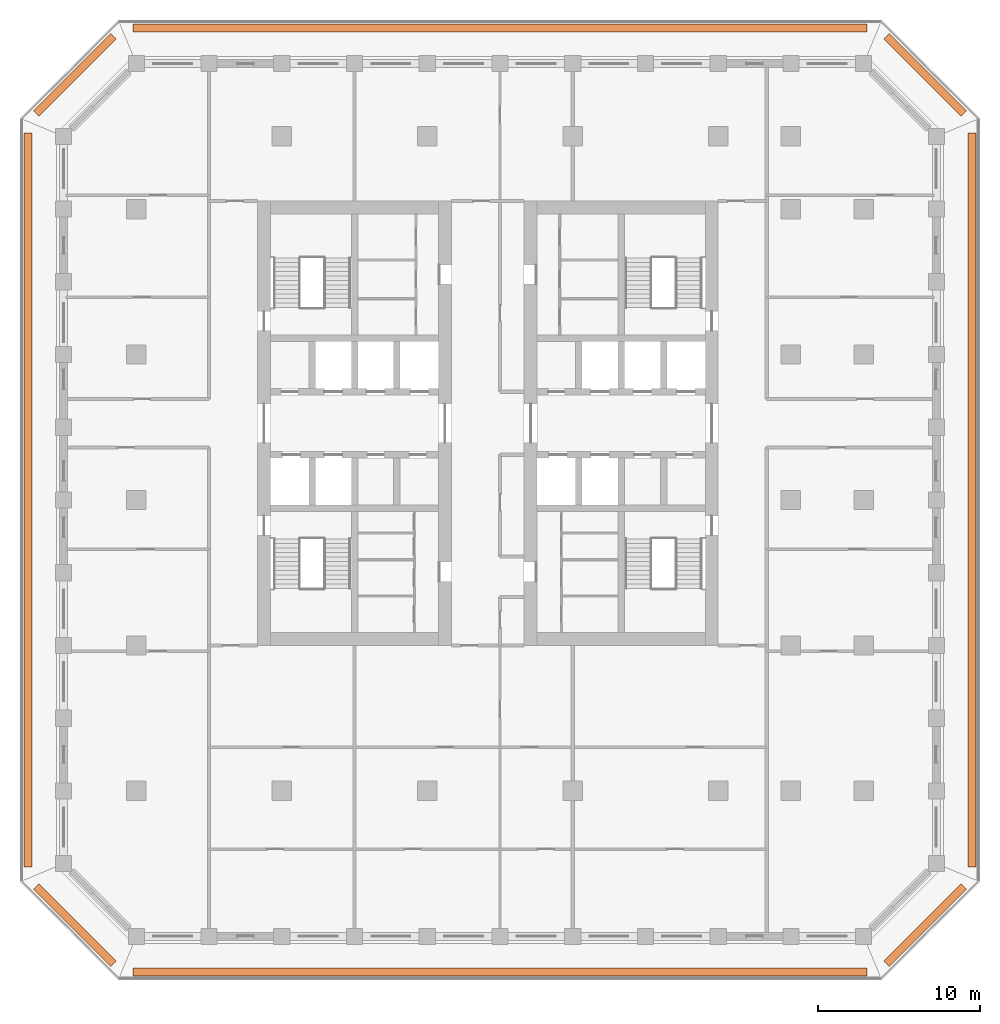
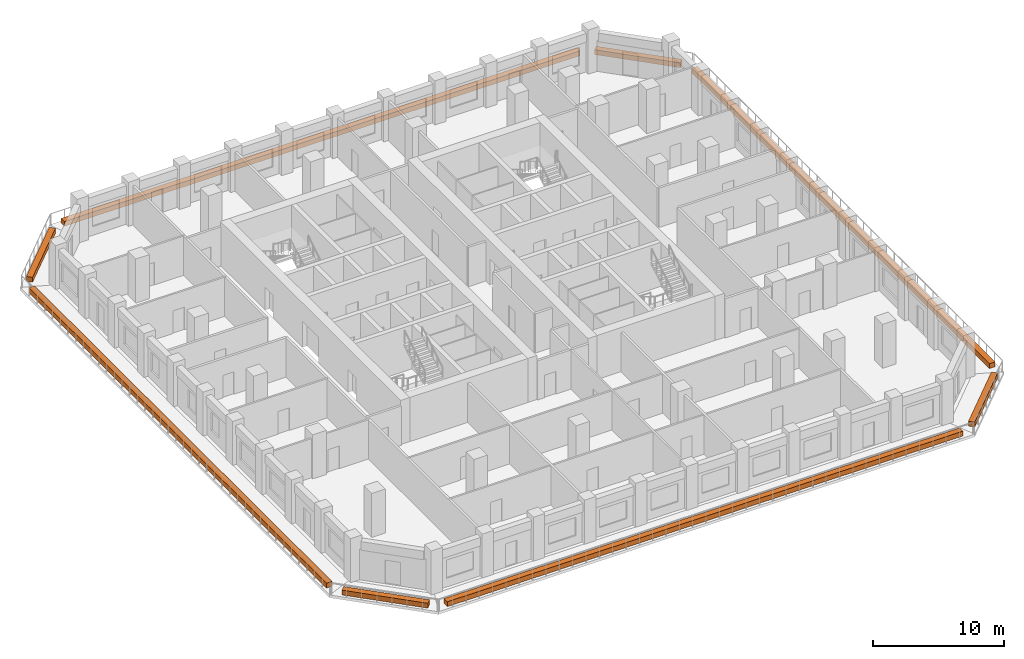
# One storey, part 16 of 16: 8 proxies.
"""IFC4 building model written with IfcOpenShell, lengths in metres."""

import ifcopenshell
import ifcopenshell.guid

model = None  # the IFC model being written
_history = None  # IfcOwnerHistory: only IFC2X3 demands one
_inside = {}  # id of a spatial element -> (the spatial element, [elements in it])
_under = {}  # id of a project, library or spatial element -> (it, [spatial elements below it])
_declared = {}  # id of a project -> (the project, [libraries it declares])
_typed = {}  # id of a type object -> (the type object, [elements of that type])
_made_of = {}  # id of a material, layer set ... -> (it, [elements and type objects made of it])


def new_model(schema):
    """Start an empty IFC model of exactly this schema.

    Asked for "IFC4X3", IfcOpenShell would pick the latest addendum, in which some entities
    have other attributes; the version numbers below select the first issue.
    IFC2X3 requires an IfcOwnerHistory on every rooted entity: one is made here for all.
    """
    global model, _history
    if schema == "IFC4X3":
        model = ifcopenshell.file(schema_version=(4, 3, 0, 0))
    else:
        model = ifcopenshell.file(schema=schema)
    _inside.clear()
    _under.clear()
    _declared.clear()
    _typed.clear()
    _made_of.clear()
    _history = None
    if model.schema == "IFC2X3":
        org = make("IfcOrganization", Name="unknown")
        user = make(
            "IfcPersonAndOrganization",
            ThePerson=make("IfcPerson", FamilyName="unknown"),
            TheOrganization=org,
        )
        app = make(
            "IfcApplication",
            ApplicationDeveloper=org,
            Version="unknown",
            ApplicationFullName="unknown",
            ApplicationIdentifier="unknown",
        )
        _history = make(
            "IfcOwnerHistory",
            OwningUser=user,
            OwningApplication=app,
            ChangeAction="ADDED",
            CreationDate=0,
        )
    return model


def make(cls, **values):
    """One entity of the class cls with the attributes given. An attribute that is None is left unset."""
    return model.create_entity(
        cls, **{name: value for name, value in values.items() if value is not None}
    )


def rooted(cls, **values):
    """An entity with a GlobalId (a new one), such as an element, a storey or a relation."""
    return make(cls, GlobalId=ifcopenshell.guid.new(), OwnerHistory=_history, **values)


def si_unit(unit_type, name, prefix=None):
    """IfcSIUnit, for example si_unit("LENGTHUNIT", "METRE", prefix="MILLI")."""
    return make("IfcSIUnit", UnitType=unit_type, Prefix=prefix, Name=name)


def assignment(units):
    """IfcUnitAssignment: the units of a project."""
    return None if units is None else make("IfcUnitAssignment", Units=units)


def point(xyz):
    """IfcCartesianPoint."""
    return None if xyz is None else make("IfcCartesianPoint", Coordinates=xyz)


def direction(xyz):
    """IfcDirection."""
    return None if xyz is None else make("IfcDirection", DirectionRatios=xyz)


def frame(location, z_axis=None, x_axis=None):
    """IfcAxis2Placement3D, a coordinate frame: its origin and axes. An axis left out is left unset."""
    return make(
        "IfcAxis2Placement3D",
        Location=point(location),
        Axis=direction(z_axis),
        RefDirection=direction(x_axis),
    )


def frame_2d(location, x_axis=None):
    """IfcAxis2Placement2D, a coordinate frame in the plane: its origin and x axis."""
    return make(
        "IfcAxis2Placement2D", Location=point(location), RefDirection=direction(x_axis)
    )


def origin():
    """The frame at (0, 0, 0) with its axes left unset."""
    return frame((0.0, 0.0, 0.0))


def origin_2d():
    """The frame at (0, 0) in the plane with its x axis left unset."""
    return frame_2d((0.0, 0.0))


def place(relative_to, where):
    """IfcLocalPlacement: puts the frame where relative to a parent placement (None: the world)."""
    return make(
        "IfcLocalPlacement", PlacementRelTo=relative_to, RelativePlacement=where
    )


def context(
    kind, dimensions, precision=None, world=None, true_north=None, identifier=None
):
    """IfcGeometricRepresentationContext, for example the 3D "Model" context."""
    return make(
        "IfcGeometricRepresentationContext",
        ContextIdentifier=identifier,
        ContextType=kind,
        CoordinateSpaceDimension=dimensions,
        Precision=precision,
        WorldCoordinateSystem=world,
        TrueNorth=true_north,
    )


def subcontext(parent, identifier, kind, view, scale=None):
    """IfcGeometricRepresentationSubContext, for example "Body" below "Model"."""
    return make(
        "IfcGeometricRepresentationSubContext",
        ContextIdentifier=identifier,
        ContextType=kind,
        ParentContext=parent,
        TargetScale=scale,
        TargetView=view,
    )


def project(units=None, contexts=None):
    """IfcProject with its units and contexts."""
    return rooted(
        "IfcProject",
        Name="project",
        RepresentationContexts=contexts,
        UnitsInContext=assignment(units),
    )


def spatial(cls, under=None, at=None, **own):
    """A site, building, storey or space (cls), placed at a placement, below another one or the project."""
    s = rooted(cls, ObjectPlacement=at, **own)
    if under is not None:
        _under.setdefault(under.id(), (under, []))[1].append(s)
    return s


def profile(cls, at=None, kind="AREA", **sizes):
    """A parametric profile (cls). Its sizes go by their IFC names, for example OverallWidth=200.0."""
    return make(cls, ProfileType=kind, Position=at, **sizes)


def rectangle(**sizes):
    """IfcRectangleProfileDef."""
    return profile("IfcRectangleProfileDef", **sizes)


def extrude(swept, where, along, depth):
    """IfcExtrudedAreaSolid: the profile swept, set in the frame where, extruded along a direction by depth."""
    return make(
        "IfcExtrudedAreaSolid",
        SweptArea=swept,
        Position=where,
        ExtrudedDirection=direction(along),
        Depth=depth,
    )


def shape(context_of_items, identifier, shape_type, items):
    """IfcShapeRepresentation: the items that make up one representation, for example the "Body"."""
    return make(
        "IfcShapeRepresentation",
        ContextOfItems=context_of_items,
        RepresentationIdentifier=identifier,
        RepresentationType=shape_type,
        Items=items,
    )


def material(Name=None, Category=None):
    """IfcMaterial."""
    return make("IfcMaterial", Name=Name, Category=Category)


def made_of(thing, what):
    """Note that an element or type object is made of a material, layer set ...; save() writes the relation."""
    if what is not None:
        _made_of.setdefault(what.id(), (what, []))[1].append(thing)
    return thing


def type_object(cls, material=None, **own):
    """A type object (cls), such as IfcWallType, which elements share."""
    return made_of(rooted(cls, **own), material)


def element(
    cls,
    number,
    at=None,
    inside=None,
    cuts=None,
    type_object=None,
    material=None,
    context=None,
    identifier="Body",
    shape_type=None,
    held_by="IfcProductDefinitionShape",
    body=None,
    shapes=None,
    **own,
):
    """One element of the class cls, such as IfcWall. Its Tag is "e" and its number.

    at: its placement. inside: the storey or other place that contains it. cuts: it is an
    opening in that element (IfcRelVoidsElement). A single representation is given by context,
    identifier, shape_type and body (its items); several are given by shapes. held_by: the class
    of the entity that holds the representations. save() writes the other relations.
    """
    e = rooted(cls, Tag="e%d" % number, ObjectPlacement=at, **own)
    if body is not None:
        shapes = [shape(context, identifier, shape_type, body)]
    if shapes is not None:
        e.Representation = make(held_by, Representations=shapes)
    if inside is not None:
        _inside.setdefault(inside.id(), (inside, []))[1].append(e)
    if cuts is not None:
        rooted(
            "IfcRelVoidsElement", RelatingBuildingElement=cuts, RelatedOpeningElement=e
        )
    if type_object is not None:
        _typed.setdefault(type_object.id(), (type_object, []))[1].append(e)
    return made_of(e, material)


def aggregate(whole, parts):
    """IfcRelAggregates: a whole, such as a stair, and the parts it consists of."""
    return rooted("IfcRelAggregates", RelatingObject=whole, RelatedObjects=parts)


def save(model, path):
    """Write the relations noted so far, then the file.

    IfcRelAggregates (storeys below a building ...), IfcRelContainedInSpatialStructure (elements
    in a storey), IfcRelDefinesByType, IfcRelAssociatesMaterial and IfcRelDeclares: one each for
    every whole, place, type object, material and project.
    """
    for whole, parts in _under.values():
        aggregate(whole, parts)
    for where, things in _inside.values():
        rooted(
            "IfcRelContainedInSpatialStructure",
            RelatedElements=things,
            RelatingStructure=where,
        )
    for kind, things in _typed.values():
        rooted("IfcRelDefinesByType", RelatedObjects=things, RelatingType=kind)
    for what, things in _made_of.values():
        rooted("IfcRelAssociatesMaterial", RelatedObjects=things, RelatingMaterial=what)
    for by, libraries in _declared.values():
        rooted("IfcRelDeclares", RelatingContext=by, RelatedDefinitions=libraries)
    model.write(path)


model = new_model("IFC4")

# Units and contexts
model_context = context("Model", 3, precision=1e-05, world=origin(), true_north=direction((0.0, 1.0)))
body_context = subcontext(model_context, "Body", "Model", "MODEL_VIEW")
ifc_project = project(units=[si_unit("LENGTHUNIT", "METRE"), si_unit("AREAUNIT", "SQUARE_METRE"), si_unit("VOLUMEUNIT", "CUBIC_METRE"), si_unit("PLANEANGLEUNIT", "RADIAN"), si_unit("MASSUNIT", "GRAM", prefix="KILO")], contexts=[model_context])

# Site, building, storey
site_placement = place(None, origin())
site = spatial("IfcSite", under=ifc_project, at=site_placement, CompositionType="ELEMENT")
building_placement = place(site_placement, origin())
building = spatial("IfcBuilding", under=site, at=building_placement, Name="Corbel Stack Research Tower", CompositionType="ELEMENT")
storey_placement = place(building_placement, frame((0.0, 0.0, 203.800048828125)))
storey = spatial("IfcBuildingStorey", under=building, at=storey_placement, Name="L46", CompositionType="ELEMENT", Elevation=203.800048828125)

# Proxies
ifc_material = material(Name="Concrete C45/55", Category="concrete")
building_element_proxy_type = type_object("IfcBuildingElementProxyType", Name="Planter box", PredefinedType="USERDEFINED", material=ifc_material)
proxy_1_placement = place(storey_placement, frame((4.5, -29.199951171875, 0.0), z_axis=(0.0, 0.0, 1.0), x_axis=(1.0, 0.0, 0.0)))
element("IfcBuildingElementProxy", 1, at=proxy_1_placement, inside=storey, type_object=building_element_proxy_type, Name="Planter L46 S", ObjectType="PLANTER", PredefinedType="USERDEFINED", context=body_context, shape_type="SweptSolid", body=[
    extrude(rectangle(XDim=45.41064453125, YDim=0.5, at=origin_2d()), origin(), (0.0, 0.0, 1.0), 0.449951171875),
])
proxy_2_placement = place(storey_placement, frame((30.8056640625, -26.3056640625, 0.0), z_axis=(0.0, 0.0, 1.0), x_axis=(0.707106781187, 0.707106781187, 0.0)))
element("IfcBuildingElementProxy", 2, at=proxy_2_placement, inside=storey, type_object=building_element_proxy_type, Name="Planter L46 SE", ObjectType="PLANTER", PredefinedType="USERDEFINED", context=body_context, shape_type="SweptSolid", body=[
    extrude(rectangle(XDim=6.774658203125, YDim=0.5, at=origin_2d()), origin(), (0.0, 0.0, 1.0), 0.449951171875),
])
proxy_3_placement = place(storey_placement, frame((33.699951171875, 0.0, 0.0), z_axis=(0.0, 0.0, 1.0), x_axis=(0.0, 1.0, 0.0)))
element("IfcBuildingElementProxy", 3, at=proxy_3_placement, inside=storey, type_object=building_element_proxy_type, Name="Planter L46 E", ObjectType="PLANTER", PredefinedType="USERDEFINED", context=body_context, shape_type="SweptSolid", body=[
    extrude(rectangle(XDim=45.41064453125, YDim=0.5, at=origin_2d()), origin(), (0.0, 0.0, 1.0), 0.449951171875),
])
proxy_4_placement = place(storey_placement, frame((30.8056640625, 26.3056640625, 0.0), z_axis=(0.0, 0.0, 1.0), x_axis=(-0.707106781187, 0.707106781187, 0.0)))
element("IfcBuildingElementProxy", 4, at=proxy_4_placement, inside=storey, type_object=building_element_proxy_type, Name="Planter L46 NE", ObjectType="PLANTER", PredefinedType="USERDEFINED", context=body_context, shape_type="SweptSolid", body=[
    extrude(rectangle(XDim=6.774658203125, YDim=0.5, at=origin_2d()), origin(), (0.0, 0.0, 1.0), 0.449951171875),
])
proxy_5_placement = place(storey_placement, frame((4.5, 29.199951171875, 0.0), z_axis=(0.0, 0.0, 1.0), x_axis=(-1.0, 0.0, 0.0)))
element("IfcBuildingElementProxy", 5, at=proxy_5_placement, inside=storey, type_object=building_element_proxy_type, Name="Planter L46 N", ObjectType="PLANTER", PredefinedType="USERDEFINED", context=body_context, shape_type="SweptSolid", body=[
    extrude(rectangle(XDim=45.41064453125, YDim=0.5, at=origin_2d()), origin(), (0.0, 0.0, 1.0), 0.449951171875),
])
proxy_6_placement = place(storey_placement, frame((-21.8056640625, 26.3056640625, 0.0), z_axis=(0.0, 0.0, 1.0), x_axis=(-0.707106781187, -0.707106781187, 0.0)))
element("IfcBuildingElementProxy", 6, at=proxy_6_placement, inside=storey, type_object=building_element_proxy_type, Name="Planter L46 NW", ObjectType="PLANTER", PredefinedType="USERDEFINED", context=body_context, shape_type="SweptSolid", body=[
    extrude(rectangle(XDim=6.774658203125, YDim=0.5, at=origin_2d()), origin(), (0.0, 0.0, 1.0), 0.449951171875),
])
proxy_7_placement = place(storey_placement, frame((-24.699951171875, 0.0, 0.0), z_axis=(0.0, 0.0, 1.0), x_axis=(0.0, -1.0, 0.0)))
element("IfcBuildingElementProxy", 7, at=proxy_7_placement, inside=storey, type_object=building_element_proxy_type, Name="Planter L46 W", ObjectType="PLANTER", PredefinedType="USERDEFINED", context=body_context, shape_type="SweptSolid", body=[
    extrude(rectangle(XDim=45.41064453125, YDim=0.5, at=origin_2d()), origin(), (0.0, 0.0, 1.0), 0.449951171875),
])
proxy_8_placement = place(storey_placement, frame((-21.8056640625, -26.3056640625, 0.0), z_axis=(0.0, 0.0, 1.0), x_axis=(0.707106781187, -0.707106781187, 0.0)))
element("IfcBuildingElementProxy", 8, at=proxy_8_placement, inside=storey, type_object=building_element_proxy_type, Name="Planter L46 SW", ObjectType="PLANTER", PredefinedType="USERDEFINED", context=body_context, shape_type="SweptSolid", body=[
    extrude(rectangle(XDim=6.774658203125, YDim=0.5, at=origin_2d()), origin(), (0.0, 0.0, 1.0), 0.449951171875),
])

save(model, "model.ifc")
